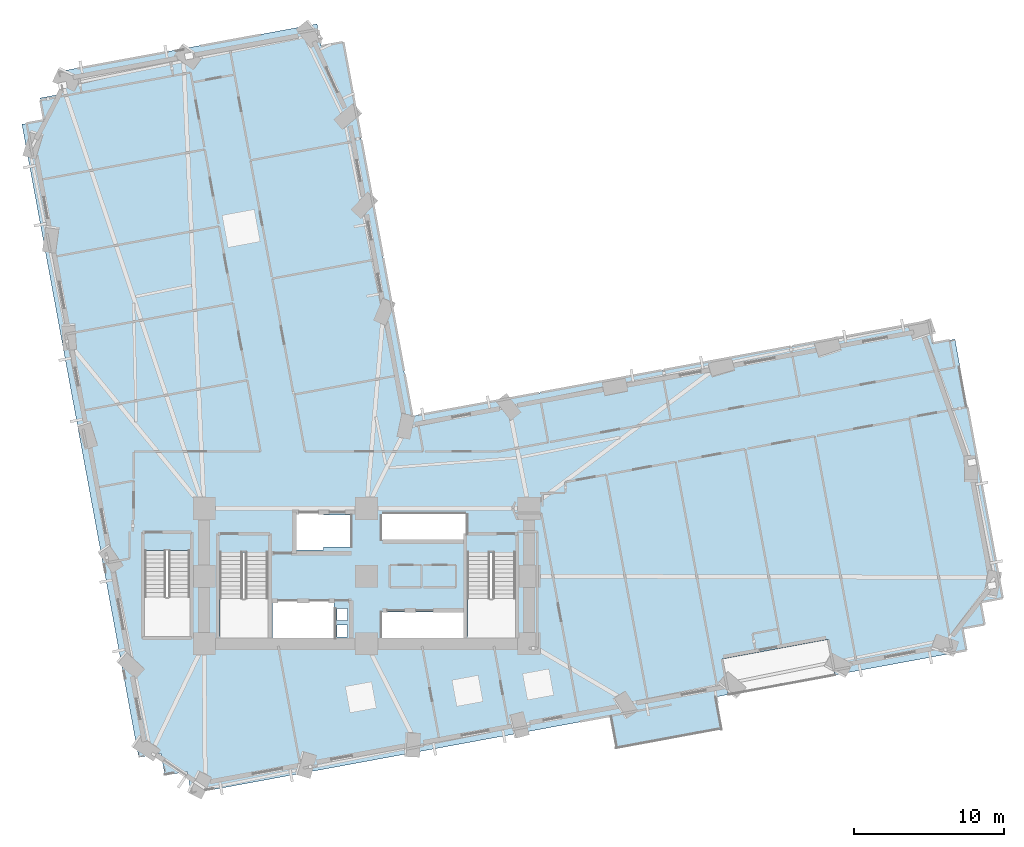
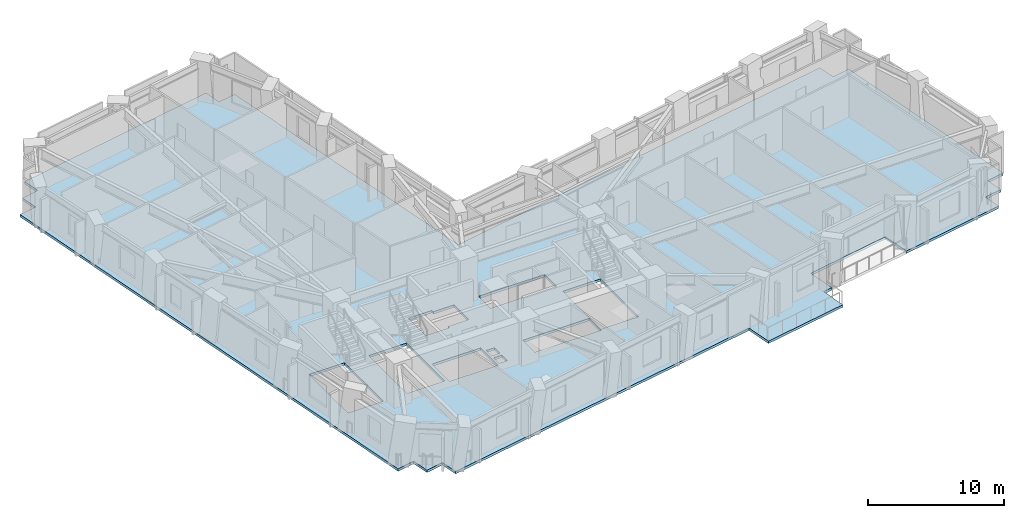
# One storey, part 5 of 16: 1 slab.
"""IFC4 building model written with IfcOpenShell, lengths in metres."""

from ifc_helpers import new_model, si_unit, direction, frame, origin, place, context, subcontext, project, spatial, polyline, outline, extrude, material, layer, layer_set, type_object, element, save


model = new_model("IFC4")

# Units and contexts
model_context = context("Model", 3, precision=1e-05, world=origin(), true_north=direction((0.0, 1.0)))
body_context = subcontext(model_context, "Body", "Model", "MODEL_VIEW")
ifc_project = project(units=[si_unit("LENGTHUNIT", "METRE"), si_unit("AREAUNIT", "SQUARE_METRE"), si_unit("VOLUMEUNIT", "CUBIC_METRE"), si_unit("PLANEANGLEUNIT", "RADIAN"), si_unit("MASSUNIT", "GRAM", prefix="KILO")], contexts=[model_context])

# Site, building, storey
site_placement = place(None, origin())
site = spatial("IfcSite", under=ifc_project, at=site_placement, CompositionType="ELEMENT")
building_placement = place(site_placement, origin())
building = spatial("IfcBuilding", under=site, at=building_placement, Name="Gaonmaruhae Medical Tower", CompositionType="ELEMENT")
storey_placement = place(building_placement, frame((0.0, 0.0, 67.0)))
storey = spatial("IfcBuildingStorey", under=building, at=storey_placement, Name="L15", CompositionType="ELEMENT", Elevation=67.0)

# Slab
ifc_material = material(Name="Concrete C40/50", Category="concrete")
ifc_layer = layer(ifc_material, 0.219970703125)
ifc_layer_set = layer_set([ifc_layer], Name="Concrete C40/50")
slab_type = type_object("IfcSlabType", Name="FS-220 Clinical Ward Composite Floor Slab", PredefinedType="FLOOR", material=ifc_layer_set)
slab_placement = place(storey_placement, frame((0.0, 0.0, -0.219970703125)))
element("IfcSlab", 1, at=slab_placement, inside=storey, type_object=slab_type, Name="L15 Structural Slab 1", PredefinedType="FLOOR", context=body_context, shape_type="SweptSolid", body=[
    extrude(outline(polyline([(12.8779296875, -0.68115234375), (11.40283203125, -0.953125), (11.130859375, 0.52197265625), (9.65576171875, 0.249755859375), (1.892578125, 42.33984375), (3.367919921875, 42.612060546875), (3.095703125, 44.087158203125), (4.57080078125, 44.359130859375), (4.298828125, 45.834228515625), (21.508544921875, 49.00830078125), (21.78076171875, 47.533203125), (23.255859375, 47.805419921875), (27.844482421875, 22.925048828125), (62.165771484375, 29.255126953125), (62.437744140625, 27.780029296875), (63.912841796875, 28.052001953125), (67.0869140625, 10.84228515625), (65.61181640625, 10.5703125), (65.884033203125, 9.09521484375), (64.408935546875, 8.822998046875), (64.680908203125, 7.347900390625), (55.936279296875, 5.735107421875), (55.501220703125, 8.09521484375), (48.42041015625, 6.789306640625), (48.855712890625, 4.42919921875), (48.069091796875, 4.2841796875), (48.468017578125, 2.12060546875), (41.3876953125, 0.814697265625), (40.988525390625, 2.978271484375), (13.150146484375, -2.15625), (12.8779296875, -0.68115234375)]), holes=[polyline([(23.550048828125, 8.25), (22.85009765625, 8.25), (22.85009765625, 9.050048828125), (23.550048828125, 9.050048828125), (23.550048828125, 8.25)]), polyline([(25.824951171875, 9.925048828125), (31.425048828125, 9.925048828125), (31.425048828125, 8.175048828125), (25.824951171875, 8.175048828125), (25.824951171875, 9.925048828125)]), polyline([(22.64990234375, 10.625), (22.64990234375, 8.074951171875), (18.550048828125, 8.074951171875), (18.550048828125, 10.625), (22.64990234375, 10.625)]), polyline([(23.550048828125, 9.35009765625), (22.85009765625, 9.35009765625), (22.85009765625, 10.14990234375), (23.550048828125, 10.14990234375), (23.550048828125, 9.35009765625)]), polyline([(15.050048828125, 13.889892578125), (18.25, 13.889892578125), (18.25, 8.300048828125), (15.050048828125, 8.300048828125), (15.050048828125, 13.889892578125)]), polyline([(31.5, 13.889892578125), (34.699951171875, 13.889892578125), (34.699951171875, 8.300048828125), (31.5, 8.300048828125), (31.5, 13.889892578125)]), polyline([(10.050048828125, 13.989990234375), (13.050048828125, 13.989990234375), (13.050048828125, 8.300048828125), (10.050048828125, 8.300048828125), (10.050048828125, 13.989990234375)]), polyline([(21.949951171875, 14.02490234375), (19.949951171875, 14.02490234375), (19.949951171875, 16.574951171875), (21.949951171875, 16.574951171875), (21.949951171875, 16.375), (23.72509765625, 16.375), (23.72509765625, 14.22509765625), (21.949951171875, 14.22509765625), (21.949951171875, 14.02490234375)]), polyline([(31.425048828125, 16.425048828125), (31.425048828125, 14.675048828125), (25.824951171875, 14.675048828125), (25.824951171875, 16.425048828125), (31.425048828125, 16.425048828125)])]), origin(), (0.0, 0.0, 1.0), 0.219970703125),
])

save(model, "model.ifc")
